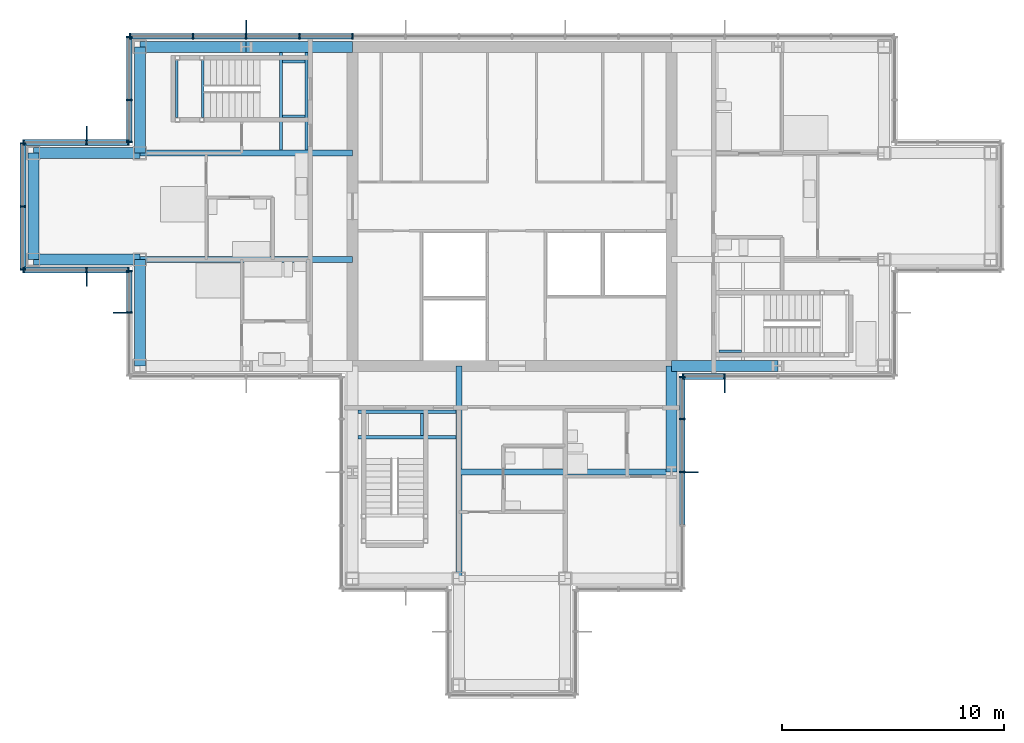
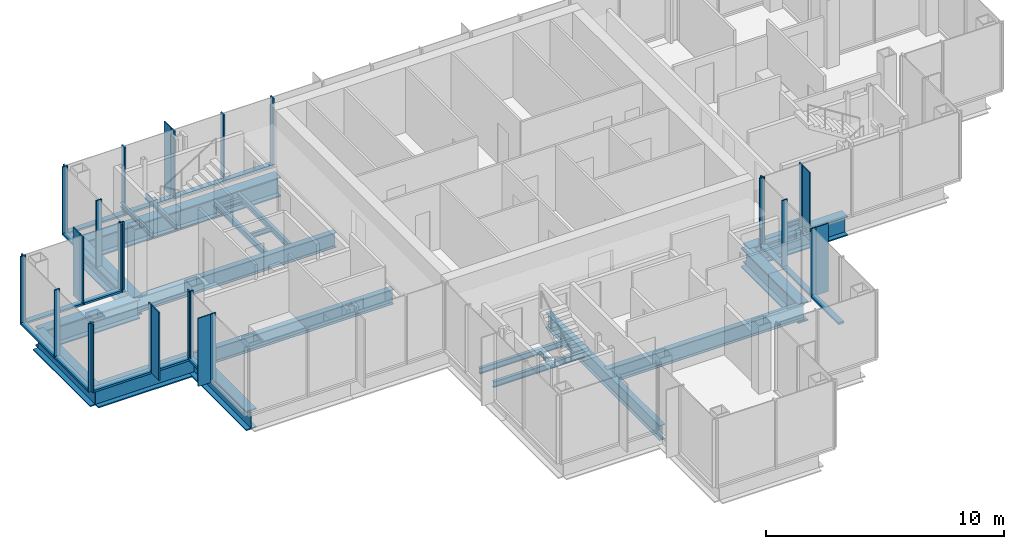
# One storey, part 6 of 15: 47 members, 23 beams, 8 elements without a shape of their own.
"""IFC4 building model written with IfcOpenShell, lengths in metres."""

import ifcopenshell
import ifcopenshell.guid

model = None  # the IFC model being written
_history = None  # IfcOwnerHistory: only IFC2X3 demands one
_inside = {}  # id of a spatial element -> (the spatial element, [elements in it])
_under = {}  # id of a project, library or spatial element -> (it, [spatial elements below it])
_declared = {}  # id of a project -> (the project, [libraries it declares])
_typed = {}  # id of a type object -> (the type object, [elements of that type])
_made_of = {}  # id of a material, layer set ... -> (it, [elements and type objects made of it])


def new_model(schema):
    """Start an empty IFC model of exactly this schema.

    Asked for "IFC4X3", IfcOpenShell would pick the latest addendum, in which some entities
    have other attributes; the version numbers below select the first issue.
    IFC2X3 requires an IfcOwnerHistory on every rooted entity: one is made here for all.
    """
    global model, _history
    if schema == "IFC4X3":
        model = ifcopenshell.file(schema_version=(4, 3, 0, 0))
    else:
        model = ifcopenshell.file(schema=schema)
    _inside.clear()
    _under.clear()
    _declared.clear()
    _typed.clear()
    _made_of.clear()
    _history = None
    if model.schema == "IFC2X3":
        org = make("IfcOrganization", Name="unknown")
        user = make(
            "IfcPersonAndOrganization",
            ThePerson=make("IfcPerson", FamilyName="unknown"),
            TheOrganization=org,
        )
        app = make(
            "IfcApplication",
            ApplicationDeveloper=org,
            Version="unknown",
            ApplicationFullName="unknown",
            ApplicationIdentifier="unknown",
        )
        _history = make(
            "IfcOwnerHistory",
            OwningUser=user,
            OwningApplication=app,
            ChangeAction="ADDED",
            CreationDate=0,
        )
    return model


def make(cls, **values):
    """One entity of the class cls with the attributes given. An attribute that is None is left unset."""
    return model.create_entity(
        cls, **{name: value for name, value in values.items() if value is not None}
    )


def rooted(cls, **values):
    """An entity with a GlobalId (a new one), such as an element, a storey or a relation."""
    return make(cls, GlobalId=ifcopenshell.guid.new(), OwnerHistory=_history, **values)


def si_unit(unit_type, name, prefix=None):
    """IfcSIUnit, for example si_unit("LENGTHUNIT", "METRE", prefix="MILLI")."""
    return make("IfcSIUnit", UnitType=unit_type, Prefix=prefix, Name=name)


def assignment(units):
    """IfcUnitAssignment: the units of a project."""
    return None if units is None else make("IfcUnitAssignment", Units=units)


def point(xyz):
    """IfcCartesianPoint."""
    return None if xyz is None else make("IfcCartesianPoint", Coordinates=xyz)


def direction(xyz):
    """IfcDirection."""
    return None if xyz is None else make("IfcDirection", DirectionRatios=xyz)


def frame(location, z_axis=None, x_axis=None):
    """IfcAxis2Placement3D, a coordinate frame: its origin and axes. An axis left out is left unset."""
    return make(
        "IfcAxis2Placement3D",
        Location=point(location),
        Axis=direction(z_axis),
        RefDirection=direction(x_axis),
    )


def frame_2d(location, x_axis=None):
    """IfcAxis2Placement2D, a coordinate frame in the plane: its origin and x axis."""
    return make(
        "IfcAxis2Placement2D", Location=point(location), RefDirection=direction(x_axis)
    )


def origin():
    """The frame at (0, 0, 0) with its axes left unset."""
    return frame((0.0, 0.0, 0.0))


def origin_2d():
    """The frame at (0, 0) in the plane with its x axis left unset."""
    return frame_2d((0.0, 0.0))


def place(relative_to, where):
    """IfcLocalPlacement: puts the frame where relative to a parent placement (None: the world)."""
    return make(
        "IfcLocalPlacement", PlacementRelTo=relative_to, RelativePlacement=where
    )


def context(
    kind, dimensions, precision=None, world=None, true_north=None, identifier=None
):
    """IfcGeometricRepresentationContext, for example the 3D "Model" context."""
    return make(
        "IfcGeometricRepresentationContext",
        ContextIdentifier=identifier,
        ContextType=kind,
        CoordinateSpaceDimension=dimensions,
        Precision=precision,
        WorldCoordinateSystem=world,
        TrueNorth=true_north,
    )


def subcontext(parent, identifier, kind, view, scale=None):
    """IfcGeometricRepresentationSubContext, for example "Body" below "Model"."""
    return make(
        "IfcGeometricRepresentationSubContext",
        ContextIdentifier=identifier,
        ContextType=kind,
        ParentContext=parent,
        TargetScale=scale,
        TargetView=view,
    )


def project(units=None, contexts=None):
    """IfcProject with its units and contexts."""
    return rooted(
        "IfcProject",
        Name="project",
        RepresentationContexts=contexts,
        UnitsInContext=assignment(units),
    )


def spatial(cls, under=None, at=None, **own):
    """A site, building, storey or space (cls), placed at a placement, below another one or the project."""
    s = rooted(cls, ObjectPlacement=at, **own)
    if under is not None:
        _under.setdefault(under.id(), (under, []))[1].append(s)
    return s


def profile(cls, at=None, kind="AREA", **sizes):
    """A parametric profile (cls). Its sizes go by their IFC names, for example OverallWidth=200.0."""
    return make(cls, ProfileType=kind, Position=at, **sizes)


def rectangle(**sizes):
    """IfcRectangleProfileDef."""
    return profile("IfcRectangleProfileDef", **sizes)


def i_section(**sizes):
    """IfcIShapeProfileDef."""
    return profile("IfcIShapeProfileDef", **sizes)


def extrude(swept, where, along, depth):
    """IfcExtrudedAreaSolid: the profile swept, set in the frame where, extruded along a direction by depth."""
    return make(
        "IfcExtrudedAreaSolid",
        SweptArea=swept,
        Position=where,
        ExtrudedDirection=direction(along),
        Depth=depth,
    )


def shape(context_of_items, identifier, shape_type, items):
    """IfcShapeRepresentation: the items that make up one representation, for example the "Body"."""
    return make(
        "IfcShapeRepresentation",
        ContextOfItems=context_of_items,
        RepresentationIdentifier=identifier,
        RepresentationType=shape_type,
        Items=items,
    )


def material(Name=None, Category=None):
    """IfcMaterial."""
    return make("IfcMaterial", Name=Name, Category=Category)


def material_profile(
    of_material, cross_section, Name=None, Category=None, Priority=None
):
    """IfcMaterialProfile: a cross section and its material."""
    return make(
        "IfcMaterialProfile",
        Name=Name,
        Material=of_material,
        Profile=cross_section,
        Priority=Priority,
        Category=Category,
    )


def profile_set(profiles, Name=None, composite=None):
    """IfcMaterialProfileSet."""
    return make(
        "IfcMaterialProfileSet",
        Name=Name,
        MaterialProfiles=profiles,
        CompositeProfile=composite,
    )


def made_of(thing, what):
    """Note that an element or type object is made of a material, layer set ...; save() writes the relation."""
    if what is not None:
        _made_of.setdefault(what.id(), (what, []))[1].append(thing)
    return thing


def type_object(cls, material=None, **own):
    """A type object (cls), such as IfcWallType, which elements share."""
    return made_of(rooted(cls, **own), material)


def element(
    cls,
    number,
    at=None,
    inside=None,
    cuts=None,
    type_object=None,
    material=None,
    context=None,
    identifier="Body",
    shape_type=None,
    held_by="IfcProductDefinitionShape",
    body=None,
    shapes=None,
    **own,
):
    """One element of the class cls, such as IfcWall. Its Tag is "e" and its number.

    at: its placement. inside: the storey or other place that contains it. cuts: it is an
    opening in that element (IfcRelVoidsElement). A single representation is given by context,
    identifier, shape_type and body (its items); several are given by shapes. held_by: the class
    of the entity that holds the representations. save() writes the other relations.
    """
    e = rooted(cls, Tag="e%d" % number, ObjectPlacement=at, **own)
    if body is not None:
        shapes = [shape(context, identifier, shape_type, body)]
    if shapes is not None:
        e.Representation = make(held_by, Representations=shapes)
    if inside is not None:
        _inside.setdefault(inside.id(), (inside, []))[1].append(e)
    if cuts is not None:
        rooted(
            "IfcRelVoidsElement", RelatingBuildingElement=cuts, RelatedOpeningElement=e
        )
    if type_object is not None:
        _typed.setdefault(type_object.id(), (type_object, []))[1].append(e)
    return made_of(e, material)


def aggregate(whole, parts):
    """IfcRelAggregates: a whole, such as a stair, and the parts it consists of."""
    return rooted("IfcRelAggregates", RelatingObject=whole, RelatedObjects=parts)


def save(model, path):
    """Write the relations noted so far, then the file.

    IfcRelAggregates (storeys below a building ...), IfcRelContainedInSpatialStructure (elements
    in a storey), IfcRelDefinesByType, IfcRelAssociatesMaterial and IfcRelDeclares: one each for
    every whole, place, type object, material and project.
    """
    for whole, parts in _under.values():
        aggregate(whole, parts)
    for where, things in _inside.values():
        rooted(
            "IfcRelContainedInSpatialStructure",
            RelatedElements=things,
            RelatingStructure=where,
        )
    for kind, things in _typed.values():
        rooted("IfcRelDefinesByType", RelatedObjects=things, RelatingType=kind)
    for what, things in _made_of.values():
        rooted("IfcRelAssociatesMaterial", RelatedObjects=things, RelatingMaterial=what)
    for by, libraries in _declared.values():
        rooted("IfcRelDeclares", RelatingContext=by, RelatedDefinitions=libraries)
    model.write(path)


model = new_model("IFC4")

# Units and contexts
model_context = context("Model", 3, precision=1e-05, world=origin(), true_north=direction((0.0, 1.0)))
body_context = subcontext(model_context, "Body", "Model", "MODEL_VIEW")
ifc_project = project(units=[si_unit("LENGTHUNIT", "METRE"), si_unit("AREAUNIT", "SQUARE_METRE"), si_unit("VOLUMEUNIT", "CUBIC_METRE"), si_unit("PLANEANGLEUNIT", "RADIAN"), si_unit("MASSUNIT", "GRAM", prefix="KILO")], contexts=[model_context])

# Site, building, storey
site_placement = place(None, origin())
site = spatial("IfcSite", under=ifc_project, at=site_placement, CompositionType="ELEMENT")
building_placement = place(site_placement, origin())
building = spatial("IfcBuilding", under=site, at=building_placement, Name="Kvirike Care Tower", CompositionType="ELEMENT")
storey_placement = place(building_placement, frame((0.0, 0.0, 205.0)))
storey = spatial("IfcBuildingStorey", under=building, at=storey_placement, Name="L56", CompositionType="ELEMENT", Elevation=205.0)

# Curtain wall, member
ifc_material_1 = material(Name="Anodised aluminium stick system", Category="aluminium")
curtain_wall_type = type_object("IfcCurtainWallType", Name="CW-D STICK CURTAIN WALL", PredefinedType="NOTDEFINED", material=ifc_material_1)
curtain_wall_1_placement = place(storey_placement, origin())
curtain_wall_1 = element("IfcCurtainWall", 1, at=curtain_wall_1_placement, inside=storey, type_object=curtain_wall_type, Name="Curtain wall L56 face 1", PredefinedType="NOTDEFINED")
ifc_material_2 = material(Name="Bronze anodised aluminium fin", Category="aluminium")
ifc_material_profile_1 = material_profile(ifc_material_2, rectangle(XDim=0.050048828125, YDim=0.60009765625, at=origin_2d()), Name="BRONZE FIN 600")
ifc_profile_set_1 = profile_set([ifc_material_profile_1], Name="Bronze anodised aluminium fin")
member_type_1 = type_object("IfcMemberType", Name="BRONZE FIN 600", PredefinedType="USERDEFINED", material=ifc_profile_set_1)
member_1_placement = place(storey_placement, frame((31.199951171875, 27.889892578125, 0.0), z_axis=(0.0, 0.0, 1.0), x_axis=(1.0, 0.0, 0.0)))
member_1 = element("IfcMember", 2, at=member_1_placement, type_object=member_type_1, Name="Bronze fin L56 face 1.2", ObjectType="FIN", PredefinedType="USERDEFINED", context=body_context, shape_type="SweptSolid", body=[
    extrude(rectangle(XDim=0.050048828125, YDim=0.60009765625, at=origin_2d()), origin(), (0.0, 0.0, 1.0), 3.5),
])

curtain_wall_2_placement = place(storey_placement, origin())
curtain_wall_2 = element("IfcCurtainWall", 3, at=curtain_wall_2_placement, inside=storey, type_object=curtain_wall_type, Name="Curtain wall L56 face 7", PredefinedType="NOTDEFINED")
member_2_placement = place(storey_placement, frame((9.60009765625, 44.110107421875, 0.0), z_axis=(0.0, 0.0, 1.0), x_axis=(-1.0, 0.0, 0.0)))
member_2 = element("IfcMember", 4, at=member_2_placement, type_object=member_type_1, Name="Bronze fin L56 face 7.13", ObjectType="FIN", PredefinedType="USERDEFINED", context=body_context, shape_type="SweptSolid", body=[
    extrude(rectangle(XDim=0.050048828125, YDim=0.60009765625, at=origin_2d()), origin(), (0.0, 0.0, 1.0), 3.5),
])

curtain_wall_3_placement = place(storey_placement, origin())
curtain_wall_3 = element("IfcCurtainWall", 5, at=curtain_wall_3_placement, inside=storey, type_object=curtain_wall_type, Name="Curtain wall L56 face 9", PredefinedType="NOTDEFINED")
member_3_placement = place(storey_placement, frame((2.39990234375, 39.31005859375, 0.0), z_axis=(0.0, 0.0, 1.0), x_axis=(-1.0, 0.0, 0.0)))
member_3 = element("IfcMember", 6, at=member_3_placement, type_object=member_type_1, Name="Bronze fin L56 face 9.2", ObjectType="FIN", PredefinedType="USERDEFINED", context=body_context, shape_type="SweptSolid", body=[
    extrude(rectangle(XDim=0.050048828125, YDim=0.60009765625, at=origin_2d()), origin(), (0.0, 0.0, 1.0), 3.5),
])

curtain_wall_4_placement = place(storey_placement, origin())
curtain_wall_4 = element("IfcCurtainWall", 7, at=curtain_wall_4_placement, inside=storey, type_object=curtain_wall_type, Name="Curtain wall L56 face 11", PredefinedType="NOTDEFINED")
member_4_placement = place(storey_placement, frame((2.39990234375, 32.68994140625, 0.0), z_axis=(0.0, 0.0, 1.0), x_axis=(1.0, 0.0, 0.0)))
member_4 = element("IfcMember", 8, at=member_4_placement, type_object=member_type_1, Name="Bronze fin L56 face 11.2", ObjectType="FIN", PredefinedType="USERDEFINED", context=body_context, shape_type="SweptSolid", body=[
    extrude(rectangle(XDim=0.050048828125, YDim=0.60009765625, at=origin_2d()), origin(), (0.0, 0.0, 1.0), 3.5),
])

curtain_wall_5_placement = place(storey_placement, origin())
curtain_wall_5 = element("IfcCurtainWall", 9, at=curtain_wall_5_placement, inside=storey, type_object=curtain_wall_type, Name="Curtain wall L56 face 12", PredefinedType="NOTDEFINED")
member_5_placement = place(storey_placement, frame((3.889892578125, 31.199951171875, 0.0), z_axis=(0.0, 0.0, 1.0), x_axis=(0.0, -1.0, 0.0)))
member_5 = element("IfcMember", 10, at=member_5_placement, type_object=member_type_1, Name="Bronze fin L56 face 12.2", ObjectType="FIN", PredefinedType="USERDEFINED", context=body_context, shape_type="SweptSolid", body=[
    extrude(rectangle(XDim=0.050048828125, YDim=0.60009765625, at=origin_2d()), origin(), (0.0, 0.0, 1.0), 3.5),
])

curtain_wall_6_placement = place(storey_placement, origin())
curtain_wall_6 = element("IfcCurtainWall", 11, at=curtain_wall_6_placement, inside=storey, type_object=curtain_wall_type, Name="Curtain wall L56 face 20", PredefinedType="NOTDEFINED")
member_6_placement = place(storey_placement, frame((29.7099609375, 24.0, 0.0), z_axis=(0.0, 0.0, 1.0), x_axis=(0.0, 1.0, 0.0)))
member_6 = element("IfcMember", 12, at=member_6_placement, type_object=member_type_1, Name="Bronze fin L56 face 20.3", ObjectType="FIN", PredefinedType="USERDEFINED", context=body_context, shape_type="SweptSolid", body=[
    extrude(rectangle(XDim=0.050048828125, YDim=0.60009765625, at=origin_2d()), origin(), (0.0, 0.0, 1.0), 3.5),
])

# Member
ifc_material_3 = material(Name="Bronze anodised aluminium mullion", Category="aluminium")
ifc_material_profile_2 = material_profile(ifc_material_3, rectangle(XDim=0.06494140625, YDim=0.260009765625, at=origin_2d()), Name="CW-D MULLION 65x260")
ifc_profile_set_2 = profile_set([ifc_material_profile_2], Name="Bronze anodised aluminium mullion")
member_type_2 = type_object("IfcMemberType", Name="CW-D MULLION 65x260", PredefinedType="MULLION", material=ifc_profile_set_2)
member_7_placement = place(storey_placement, frame((29.3125, 28.320068359375, 0.0), z_axis=(0.0, 0.0, 1.0), x_axis=(1.0, 0.0, 0.0)))
member_7 = element("IfcMember", 13, at=member_7_placement, type_object=member_type_2, Name="CW-D mullion L56 face 1.1", PredefinedType="MULLION", context=body_context, shape_type="SweptSolid", body=[
    extrude(rectangle(XDim=0.06494140625, YDim=0.260009765625, at=origin_2d()), origin(), (0.0, 0.0, 1.0), 3.5),
])

member_8_placement = place(storey_placement, frame((31.199951171875, 28.320068359375, 0.0), z_axis=(0.0, 0.0, 1.0), x_axis=(1.0, 0.0, 0.0)))
member_8 = element("IfcMember", 14, at=member_8_placement, type_object=member_type_2, Name="CW-D mullion L56 face 1.2", PredefinedType="MULLION", context=body_context, shape_type="SweptSolid", body=[
    extrude(rectangle(XDim=0.06494140625, YDim=0.260009765625, at=origin_2d()), origin(), (0.0, 0.0, 1.0), 3.5),
])

member_9_placement = place(storey_placement, frame((14.39990234375, 43.679931640625, 0.0), z_axis=(0.0, 0.0, 1.0), x_axis=(-1.0, 0.0, 0.0)))
member_9 = element("IfcMember", 15, at=member_9_placement, type_object=member_type_2, Name="CW-D mullion L56 face 7.11", PredefinedType="MULLION", context=body_context, shape_type="SweptSolid", body=[
    extrude(rectangle(XDim=0.06494140625, YDim=0.260009765625, at=origin_2d()), origin(), (0.0, 0.0, 1.0), 3.5),
])

member_10_placement = place(storey_placement, frame((12.0, 43.679931640625, 0.0), z_axis=(0.0, 0.0, 1.0), x_axis=(-1.0, 0.0, 0.0)))
member_10 = element("IfcMember", 16, at=member_10_placement, type_object=member_type_2, Name="CW-D mullion L56 face 7.12", PredefinedType="MULLION", context=body_context, shape_type="SweptSolid", body=[
    extrude(rectangle(XDim=0.06494140625, YDim=0.260009765625, at=origin_2d()), origin(), (0.0, 0.0, 1.0), 3.5),
])

member_11_placement = place(storey_placement, frame((9.60009765625, 43.679931640625, 0.0), z_axis=(0.0, 0.0, 1.0), x_axis=(-1.0, 0.0, 0.0)))
member_11 = element("IfcMember", 17, at=member_11_placement, type_object=member_type_2, Name="CW-D mullion L56 face 7.13", PredefinedType="MULLION", context=body_context, shape_type="SweptSolid", body=[
    extrude(rectangle(XDim=0.06494140625, YDim=0.260009765625, at=origin_2d()), origin(), (0.0, 0.0, 1.0), 3.5),
])

member_12_placement = place(storey_placement, frame((7.199951171875, 43.679931640625, 0.0), z_axis=(0.0, 0.0, 1.0), x_axis=(-1.0, 0.0, 0.0)))
member_12 = element("IfcMember", 18, at=member_12_placement, type_object=member_type_2, Name="CW-D mullion L56 face 7.14", PredefinedType="MULLION", context=body_context, shape_type="SweptSolid", body=[
    extrude(rectangle(XDim=0.06494140625, YDim=0.260009765625, at=origin_2d()), origin(), (0.0, 0.0, 1.0), 3.5),
])

member_13_placement = place(storey_placement, frame((4.3525390625, 43.679931640625, 0.0), z_axis=(0.0, 0.0, 1.0), x_axis=(-1.0, 0.0, 0.0)))
member_13 = element("IfcMember", 19, at=member_13_placement, type_object=member_type_2, Name="CW-D mullion L56 face 7.15", PredefinedType="MULLION", context=body_context, shape_type="SweptSolid", body=[
    extrude(rectangle(XDim=0.06494140625, YDim=0.260009765625, at=origin_2d()), origin(), (0.0, 0.0, 1.0), 3.5),
])

# Curtain wall, members
curtain_wall_7_placement = place(storey_placement, origin())
curtain_wall_7 = element("IfcCurtainWall", 20, at=curtain_wall_7_placement, inside=storey, type_object=curtain_wall_type, Name="Curtain wall L56 face 8", PredefinedType="NOTDEFINED")
member_14_placement = place(storey_placement, frame((4.320068359375, 43.6474609375, 0.0), z_axis=(0.0, 0.0, 1.0), x_axis=(0.0, -1.0, 0.0)))
member_14 = element("IfcMember", 21, at=member_14_placement, type_object=member_type_2, Name="CW-D mullion L56 face 8.1", PredefinedType="MULLION", context=body_context, shape_type="SweptSolid", body=[
    extrude(rectangle(XDim=0.06494140625, YDim=0.260009765625, at=origin_2d()), origin(), (0.0, 0.0, 1.0), 3.5),
])
member_15_placement = place(storey_placement, frame((4.320068359375, 40.800048828125, 0.0), z_axis=(0.0, 0.0, 1.0), x_axis=(0.0, -1.0, 0.0)))
member_15 = element("IfcMember", 22, at=member_15_placement, type_object=member_type_2, Name="CW-D mullion L56 face 8.2", PredefinedType="MULLION", context=body_context, shape_type="SweptSolid", body=[
    extrude(rectangle(XDim=0.06494140625, YDim=0.260009765625, at=origin_2d()), origin(), (0.0, 0.0, 1.0), 3.5),
])
member_16_placement = place(storey_placement, frame((4.320068359375, 38.91259765625, 0.0), z_axis=(0.0, 0.0, 1.0), x_axis=(0.0, -1.0, 0.0)))
member_16 = element("IfcMember", 23, at=member_16_placement, type_object=member_type_2, Name="CW-D mullion L56 face 8.3", PredefinedType="MULLION", context=body_context, shape_type="SweptSolid", body=[
    extrude(rectangle(XDim=0.06494140625, YDim=0.260009765625, at=origin_2d()), origin(), (0.0, 0.0, 1.0), 3.5),
])

# Member
member_17_placement = place(storey_placement, frame((4.28759765625, 38.8798828125, 0.0), z_axis=(0.0, 0.0, 1.0), x_axis=(-1.0, 0.0, 0.0)))
member_17 = element("IfcMember", 24, at=member_17_placement, type_object=member_type_2, Name="CW-D mullion L56 face 9.1", PredefinedType="MULLION", context=body_context, shape_type="SweptSolid", body=[
    extrude(rectangle(XDim=0.06494140625, YDim=0.260009765625, at=origin_2d()), origin(), (0.0, 0.0, 1.0), 3.5),
])

member_18_placement = place(storey_placement, frame((2.39990234375, 38.8798828125, 0.0), z_axis=(0.0, 0.0, 1.0), x_axis=(-1.0, 0.0, 0.0)))
member_18 = element("IfcMember", 25, at=member_18_placement, type_object=member_type_2, Name="CW-D mullion L56 face 9.2", PredefinedType="MULLION", context=body_context, shape_type="SweptSolid", body=[
    extrude(rectangle(XDim=0.06494140625, YDim=0.260009765625, at=origin_2d()), origin(), (0.0, 0.0, 1.0), 3.5),
])

member_19_placement = place(storey_placement, frame((-0.447509765625, 38.8798828125, 0.0), z_axis=(0.0, 0.0, 1.0), x_axis=(-1.0, 0.0, 0.0)))
member_19 = element("IfcMember", 26, at=member_19_placement, type_object=member_type_2, Name="CW-D mullion L56 face 9.3", PredefinedType="MULLION", context=body_context, shape_type="SweptSolid", body=[
    extrude(rectangle(XDim=0.06494140625, YDim=0.260009765625, at=origin_2d()), origin(), (0.0, 0.0, 1.0), 3.5),
])

# Curtain wall, members
curtain_wall_8_placement = place(storey_placement, origin())
curtain_wall_8 = element("IfcCurtainWall", 27, at=curtain_wall_8_placement, inside=storey, type_object=curtain_wall_type, Name="Curtain wall L56 face 10", PredefinedType="NOTDEFINED")
member_20_placement = place(storey_placement, frame((-0.47998046875, 38.847412109375, 0.0), z_axis=(0.0, 0.0, 1.0), x_axis=(0.0, -1.0, 0.0)))
member_20 = element("IfcMember", 28, at=member_20_placement, type_object=member_type_2, Name="CW-D mullion L56 face 10.1", PredefinedType="MULLION", context=body_context, shape_type="SweptSolid", body=[
    extrude(rectangle(XDim=0.06494140625, YDim=0.260009765625, at=origin_2d()), origin(), (0.0, 0.0, 1.0), 3.5),
])
member_21_placement = place(storey_placement, frame((-0.47998046875, 36.0, 0.0), z_axis=(0.0, 0.0, 1.0), x_axis=(0.0, -1.0, 0.0)))
member_21 = element("IfcMember", 29, at=member_21_placement, type_object=member_type_2, Name="CW-D mullion L56 face 10.2", PredefinedType="MULLION", context=body_context, shape_type="SweptSolid", body=[
    extrude(rectangle(XDim=0.06494140625, YDim=0.260009765625, at=origin_2d()), origin(), (0.0, 0.0, 1.0), 3.5),
])
member_22_placement = place(storey_placement, frame((-0.47998046875, 33.152587890625, 0.0), z_axis=(0.0, 0.0, 1.0), x_axis=(0.0, -1.0, 0.0)))
member_22 = element("IfcMember", 30, at=member_22_placement, type_object=member_type_2, Name="CW-D mullion L56 face 10.3", PredefinedType="MULLION", context=body_context, shape_type="SweptSolid", body=[
    extrude(rectangle(XDim=0.06494140625, YDim=0.260009765625, at=origin_2d()), origin(), (0.0, 0.0, 1.0), 3.5),
])

# Member
member_23_placement = place(storey_placement, frame((-0.447509765625, 33.1201171875, 0.0), z_axis=(0.0, 0.0, 1.0), x_axis=(1.0, 0.0, 0.0)))
member_23 = element("IfcMember", 31, at=member_23_placement, type_object=member_type_2, Name="CW-D mullion L56 face 11.1", PredefinedType="MULLION", context=body_context, shape_type="SweptSolid", body=[
    extrude(rectangle(XDim=0.06494140625, YDim=0.260009765625, at=origin_2d()), origin(), (0.0, 0.0, 1.0), 3.5),
])

member_24_placement = place(storey_placement, frame((2.39990234375, 33.1201171875, 0.0), z_axis=(0.0, 0.0, 1.0), x_axis=(1.0, 0.0, 0.0)))
member_24 = element("IfcMember", 32, at=member_24_placement, type_object=member_type_2, Name="CW-D mullion L56 face 11.2", PredefinedType="MULLION", context=body_context, shape_type="SweptSolid", body=[
    extrude(rectangle(XDim=0.06494140625, YDim=0.260009765625, at=origin_2d()), origin(), (0.0, 0.0, 1.0), 3.5),
])

member_25_placement = place(storey_placement, frame((4.28759765625, 33.1201171875, 0.0), z_axis=(0.0, 0.0, 1.0), x_axis=(1.0, 0.0, 0.0)))
member_25 = element("IfcMember", 33, at=member_25_placement, type_object=member_type_2, Name="CW-D mullion L56 face 11.3", PredefinedType="MULLION", context=body_context, shape_type="SweptSolid", body=[
    extrude(rectangle(XDim=0.06494140625, YDim=0.260009765625, at=origin_2d()), origin(), (0.0, 0.0, 1.0), 3.5),
])

member_26_placement = place(storey_placement, frame((4.320068359375, 33.08740234375, 0.0), z_axis=(0.0, 0.0, 1.0), x_axis=(0.0, -1.0, 0.0)))
member_26 = element("IfcMember", 34, at=member_26_placement, type_object=member_type_2, Name="CW-D mullion L56 face 12.1", PredefinedType="MULLION", context=body_context, shape_type="SweptSolid", body=[
    extrude(rectangle(XDim=0.06494140625, YDim=0.260009765625, at=origin_2d()), origin(), (0.0, 0.0, 1.0), 3.5),
])

member_27_placement = place(storey_placement, frame((4.320068359375, 31.199951171875, 0.0), z_axis=(0.0, 0.0, 1.0), x_axis=(0.0, -1.0, 0.0)))
member_27 = element("IfcMember", 35, at=member_27_placement, type_object=member_type_2, Name="CW-D mullion L56 face 12.2", PredefinedType="MULLION", context=body_context, shape_type="SweptSolid", body=[
    extrude(rectangle(XDim=0.06494140625, YDim=0.260009765625, at=origin_2d()), origin(), (0.0, 0.0, 1.0), 3.5),
])

member_28_placement = place(storey_placement, frame((29.280029296875, 24.0, 0.0), z_axis=(0.0, 0.0, 1.0), x_axis=(0.0, 1.0, 0.0)))
member_28 = element("IfcMember", 36, at=member_28_placement, type_object=member_type_2, Name="CW-D mullion L56 face 20.3", PredefinedType="MULLION", context=body_context, shape_type="SweptSolid", body=[
    extrude(rectangle(XDim=0.06494140625, YDim=0.260009765625, at=origin_2d()), origin(), (0.0, 0.0, 1.0), 3.5),
])

member_29_placement = place(storey_placement, frame((29.280029296875, 26.39990234375, 0.0), z_axis=(0.0, 0.0, 1.0), x_axis=(0.0, 1.0, 0.0)))
member_29 = element("IfcMember", 37, at=member_29_placement, type_object=member_type_2, Name="CW-D mullion L56 face 20.4", PredefinedType="MULLION", context=body_context, shape_type="SweptSolid", body=[
    extrude(rectangle(XDim=0.06494140625, YDim=0.260009765625, at=origin_2d()), origin(), (0.0, 0.0, 1.0), 3.5),
])

member_30_placement = place(storey_placement, frame((29.280029296875, 28.28759765625, 0.0), z_axis=(0.0, 0.0, 1.0), x_axis=(0.0, 1.0, 0.0)))
member_30 = element("IfcMember", 38, at=member_30_placement, type_object=member_type_2, Name="CW-D mullion L56 face 20.5", PredefinedType="MULLION", context=body_context, shape_type="SweptSolid", body=[
    extrude(rectangle(XDim=0.06494140625, YDim=0.260009765625, at=origin_2d()), origin(), (0.0, 0.0, 1.0), 3.5),
])

ifc_material_4 = material(Name="Bronze anodised aluminium transom", Category="aluminium")
ifc_material_profile_3 = material_profile(ifc_material_4, rectangle(XDim=0.260009765625, YDim=0.10009765625, at=origin_2d()), Name="CW-D TRANSOM 260x100")
ifc_profile_set_3 = profile_set([ifc_material_profile_3], Name="Bronze anodised aluminium transom")
member_type_3 = type_object("IfcMemberType", Name="CW-D TRANSOM 260x100", PredefinedType="USERDEFINED", material=ifc_profile_set_3)
member_31_placement = place(storey_placement, frame((29.344970703125, 28.320068359375, 0.050048828125), z_axis=(1.0, 0.0, 0.0), x_axis=(0.0, 1.0, 0.0)))
member_31 = element("IfcMember", 39, at=member_31_placement, type_object=member_type_3, Name="CW-D sill transom L56 face 1.1", ObjectType="TRANSOM", PredefinedType="USERDEFINED", context=body_context, shape_type="SweptSolid", body=[
    extrude(rectangle(XDim=0.260009765625, YDim=0.10009765625, at=origin_2d()), origin(), (0.0, 0.0, 1.0), 1.822509765625),
])

aggregate(curtain_wall_1, [member_7, member_8, member_1, member_31])

member_32_placement = place(storey_placement, frame((14.367431640625, 43.679931640625, 0.050048828125), z_axis=(-1.0, 0.0, 0.0), x_axis=(0.0, -1.0, 0.0)))
member_32 = element("IfcMember", 40, at=member_32_placement, type_object=member_type_3, Name="CW-D sill transom L56 face 7.11", ObjectType="TRANSOM", PredefinedType="USERDEFINED", context=body_context, shape_type="SweptSolid", body=[
    extrude(rectangle(XDim=0.260009765625, YDim=0.10009765625, at=origin_2d()), origin(), (0.0, 0.0, 1.0), 2.3349609375),
])

member_33_placement = place(storey_placement, frame((11.967529296875, 43.679931640625, 0.050048828125), z_axis=(-1.0, 0.0, 0.0), x_axis=(0.0, -1.0, 0.0)))
member_33 = element("IfcMember", 41, at=member_33_placement, type_object=member_type_3, Name="CW-D sill transom L56 face 7.12", ObjectType="TRANSOM", PredefinedType="USERDEFINED", context=body_context, shape_type="SweptSolid", body=[
    extrude(rectangle(XDim=0.260009765625, YDim=0.10009765625, at=origin_2d()), origin(), (0.0, 0.0, 1.0), 2.3349609375),
])

member_34_placement = place(storey_placement, frame((9.5673828125, 43.679931640625, 0.050048828125), z_axis=(-1.0, 0.0, 0.0), x_axis=(0.0, -1.0, 0.0)))
member_34 = element("IfcMember", 42, at=member_34_placement, type_object=member_type_3, Name="CW-D sill transom L56 face 7.13", ObjectType="TRANSOM", PredefinedType="USERDEFINED", context=body_context, shape_type="SweptSolid", body=[
    extrude(rectangle(XDim=0.260009765625, YDim=0.10009765625, at=origin_2d()), origin(), (0.0, 0.0, 1.0), 2.3349609375),
])

member_35_placement = place(storey_placement, frame((7.16748046875, 43.679931640625, 0.050048828125), z_axis=(-1.0, 0.0, 0.0), x_axis=(0.0, -1.0, 0.0)))
member_35 = element("IfcMember", 43, at=member_35_placement, type_object=member_type_3, Name="CW-D sill transom L56 face 7.14", ObjectType="TRANSOM", PredefinedType="USERDEFINED", context=body_context, shape_type="SweptSolid", body=[
    extrude(rectangle(XDim=0.260009765625, YDim=0.10009765625, at=origin_2d()), origin(), (0.0, 0.0, 1.0), 2.782470703125),
])

aggregate(curtain_wall_2, [member_9, member_10, member_11, member_2, member_12, member_13, member_32, member_33, member_34, member_35])

member_36_placement = place(storey_placement, frame((4.320068359375, 43.614990234375, 0.050048828125), z_axis=(0.0, -1.0, 0.0), x_axis=(1.0, 0.0, 0.0)))
member_36 = element("IfcMember", 44, at=member_36_placement, type_object=member_type_3, Name="CW-D sill transom L56 face 8.1", ObjectType="TRANSOM", PredefinedType="USERDEFINED", context=body_context, shape_type="SweptSolid", body=[
    extrude(rectangle(XDim=0.260009765625, YDim=0.10009765625, at=origin_2d()), origin(), (0.0, 0.0, 1.0), 2.782470703125),
])

member_37_placement = place(storey_placement, frame((4.320068359375, 40.767578125, 0.050048828125), z_axis=(0.0, -1.0, 0.0), x_axis=(1.0, 0.0, 0.0)))
member_37 = element("IfcMember", 45, at=member_37_placement, type_object=member_type_3, Name="CW-D sill transom L56 face 8.2", ObjectType="TRANSOM", PredefinedType="USERDEFINED", context=body_context, shape_type="SweptSolid", body=[
    extrude(rectangle(XDim=0.260009765625, YDim=0.10009765625, at=origin_2d()), origin(), (0.0, 0.0, 1.0), 1.822509765625),
])

aggregate(curtain_wall_7, [member_14, member_15, member_16, member_36, member_37])

member_38_placement = place(storey_placement, frame((4.2548828125, 38.8798828125, 0.050048828125), z_axis=(-1.0, 0.0, 0.0), x_axis=(0.0, -1.0, 0.0)))
member_38 = element("IfcMember", 46, at=member_38_placement, type_object=member_type_3, Name="CW-D sill transom L56 face 9.1", ObjectType="TRANSOM", PredefinedType="USERDEFINED", context=body_context, shape_type="SweptSolid", body=[
    extrude(rectangle(XDim=0.260009765625, YDim=0.10009765625, at=origin_2d()), origin(), (0.0, 0.0, 1.0), 1.822265625),
])

member_39_placement = place(storey_placement, frame((2.367431640625, 38.8798828125, 0.050048828125), z_axis=(-1.0, 0.0, 0.0), x_axis=(0.0, -1.0, 0.0)))
member_39 = element("IfcMember", 47, at=member_39_placement, type_object=member_type_3, Name="CW-D sill transom L56 face 9.2", ObjectType="TRANSOM", PredefinedType="USERDEFINED", context=body_context, shape_type="SweptSolid", body=[
    extrude(rectangle(XDim=0.260009765625, YDim=0.10009765625, at=origin_2d()), origin(), (0.0, 0.0, 1.0), 2.782470703125),
])

aggregate(curtain_wall_3, [member_17, member_18, member_3, member_19, member_38, member_39])

member_40_placement = place(storey_placement, frame((-0.47998046875, 38.81494140625, 0.050048828125), z_axis=(0.0, -1.0, 0.0), x_axis=(1.0, 0.0, 0.0)))
member_40 = element("IfcMember", 48, at=member_40_placement, type_object=member_type_3, Name="CW-D sill transom L56 face 10.1", ObjectType="TRANSOM", PredefinedType="USERDEFINED", context=body_context, shape_type="SweptSolid", body=[
    extrude(rectangle(XDim=0.260009765625, YDim=0.10009765625, at=origin_2d()), origin(), (0.0, 0.0, 1.0), 2.782470703125),
])

member_41_placement = place(storey_placement, frame((-0.47998046875, 35.967529296875, 0.050048828125), z_axis=(0.0, -1.0, 0.0), x_axis=(1.0, 0.0, 0.0)))
member_41 = element("IfcMember", 49, at=member_41_placement, type_object=member_type_3, Name="CW-D sill transom L56 face 10.2", ObjectType="TRANSOM", PredefinedType="USERDEFINED", context=body_context, shape_type="SweptSolid", body=[
    extrude(rectangle(XDim=0.260009765625, YDim=0.10009765625, at=origin_2d()), origin(), (0.0, 0.0, 1.0), 2.782470703125),
])

aggregate(curtain_wall_8, [member_20, member_21, member_22, member_40, member_41])

member_42_placement = place(storey_placement, frame((-0.4150390625, 33.1201171875, 0.050048828125), z_axis=(1.0, 0.0, 0.0), x_axis=(0.0, 1.0, 0.0)))
member_42 = element("IfcMember", 50, at=member_42_placement, type_object=member_type_3, Name="CW-D sill transom L56 face 11.1", ObjectType="TRANSOM", PredefinedType="USERDEFINED", context=body_context, shape_type="SweptSolid", body=[
    extrude(rectangle(XDim=0.260009765625, YDim=0.10009765625, at=origin_2d()), origin(), (0.0, 0.0, 1.0), 2.782470703125),
])

member_43_placement = place(storey_placement, frame((2.4326171875, 33.1201171875, 0.050048828125), z_axis=(1.0, 0.0, 0.0), x_axis=(0.0, 1.0, 0.0)))
member_43 = element("IfcMember", 51, at=member_43_placement, type_object=member_type_3, Name="CW-D sill transom L56 face 11.2", ObjectType="TRANSOM", PredefinedType="USERDEFINED", context=body_context, shape_type="SweptSolid", body=[
    extrude(rectangle(XDim=0.260009765625, YDim=0.10009765625, at=origin_2d()), origin(), (0.0, 0.0, 1.0), 1.822265625),
])

aggregate(curtain_wall_4, [member_23, member_24, member_4, member_25, member_42, member_43])

member_44_placement = place(storey_placement, frame((4.320068359375, 33.054931640625, 0.050048828125), z_axis=(0.0, -1.0, 0.0), x_axis=(1.0, 0.0, 0.0)))
member_44 = element("IfcMember", 52, at=member_44_placement, type_object=member_type_3, Name="CW-D sill transom L56 face 12.1", ObjectType="TRANSOM", PredefinedType="USERDEFINED", context=body_context, shape_type="SweptSolid", body=[
    extrude(rectangle(XDim=0.260009765625, YDim=0.10009765625, at=origin_2d()), origin(), (0.0, 0.0, 1.0), 1.822509765625),
])

aggregate(curtain_wall_5, [member_26, member_27, member_5, member_44])

member_45_placement = place(storey_placement, frame((29.280029296875, 21.632568359375, 0.050048828125), z_axis=(0.0, 1.0, 0.0), x_axis=(-1.0, 0.0, 0.0)))
member_45 = element("IfcMember", 53, at=member_45_placement, type_object=member_type_3, Name="CW-D sill transom L56 face 20.2", ObjectType="TRANSOM", PredefinedType="USERDEFINED", context=body_context, shape_type="SweptSolid", body=[
    extrude(rectangle(XDim=0.260009765625, YDim=0.10009765625, at=origin_2d()), origin(), (0.0, 0.0, 1.0), 2.3349609375),
])

member_46_placement = place(storey_placement, frame((29.280029296875, 24.032470703125, 0.050048828125), z_axis=(0.0, 1.0, 0.0), x_axis=(-1.0, 0.0, 0.0)))
member_46 = element("IfcMember", 54, at=member_46_placement, type_object=member_type_3, Name="CW-D sill transom L56 face 20.3", ObjectType="TRANSOM", PredefinedType="USERDEFINED", context=body_context, shape_type="SweptSolid", body=[
    extrude(rectangle(XDim=0.260009765625, YDim=0.10009765625, at=origin_2d()), origin(), (0.0, 0.0, 1.0), 2.3349609375),
])

member_47_placement = place(storey_placement, frame((29.280029296875, 26.4326171875, 0.050048828125), z_axis=(0.0, 1.0, 0.0), x_axis=(-1.0, 0.0, 0.0)))
member_47 = element("IfcMember", 55, at=member_47_placement, type_object=member_type_3, Name="CW-D sill transom L56 face 20.4", ObjectType="TRANSOM", PredefinedType="USERDEFINED", context=body_context, shape_type="SweptSolid", body=[
    extrude(rectangle(XDim=0.260009765625, YDim=0.10009765625, at=origin_2d()), origin(), (0.0, 0.0, 1.0), 1.822265625),
])

aggregate(curtain_wall_6, [member_28, member_6, member_29, member_30, member_45, member_46, member_47])

# Beams
ifc_material_5 = material(Name="Steel S355", Category="steel")
ifc_material_profile_4 = material_profile(ifc_material_5, i_section(OverallWidth=0.26806640625, OverallDepth=0.77001953125, WebThickness=0.015625, FlangeThickness=0.025390625, FilletRadius=0.01708984375, at=origin_2d()), Name="IPE 750x196")
ifc_profile_set_4 = profile_set([ifc_material_profile_4], Name="Steel S355")
beam_type_1 = type_object("IfcBeamType", Name="FLOOR BEAM IPE 750x196", PredefinedType="BEAM", material=ifc_profile_set_4)
beam_1_placement = place(storey_placement, frame((19.199951171875, 24.0, -0.554931640625), z_axis=(1.0, 0.0, 0.0), x_axis=(0.0, 1.0, 0.0)))
element("IfcBeam", 56, at=beam_1_placement, inside=storey, type_object=beam_type_1, Name="Floor Beam F7-F9 L56", PredefinedType="BEAM", context=body_context, shape_type="SweptSolid", body=[
    extrude(i_section(OverallWidth=0.26806640625, OverallDepth=0.77001953125, WebThickness=0.015625, FlangeThickness=0.025390625, FilletRadius=0.01708984375, at=origin_2d()), origin(), (0.0, 0.0, 1.0), 9.60009765625),
])
for number, where, z_axis, x_axis, name in (
    (57, (4.800048828125, 33.60009765625, -0.554931640625), (1.0, 0.0, 0.0), (0.0, 1.0, 0.0), "Floor Beam H4-H6 L56"),
    (58, (4.800048828125, 38.39990234375, -0.554931640625), (1.0, 0.0, 0.0), (0.0, 1.0, 0.0), "Floor Beam J4-J6 L56"),
):
    element("IfcBeam", number, at=place(storey_placement, frame(where, z_axis=z_axis, x_axis=x_axis)), inside=storey, type_object=beam_type_1, Name=name, PredefinedType="BEAM", context=body_context, shape_type="SweptSolid", body=[
        extrude(i_section(OverallWidth=0.26806640625, OverallDepth=0.77001953125, WebThickness=0.015625, FlangeThickness=0.025390625, FilletRadius=0.01708984375, at=origin_2d()), origin(), (0.0, 0.0, 1.0), 9.599853515625),
    ])
beam_2_placement = place(storey_placement, frame((19.199951171875, 19.199951171875, -0.554931640625), z_axis=(0.0, 1.0, 0.0), x_axis=(-1.0, 0.0, 0.0)))
element("IfcBeam", 59, at=beam_2_placement, inside=storey, type_object=beam_type_1, Name="Floor Beam E7-G7 L56", PredefinedType="BEAM", context=body_context, shape_type="SweptSolid", body=[
    extrude(i_section(OverallWidth=0.26806640625, OverallDepth=0.77001953125, WebThickness=0.015625, FlangeThickness=0.025390625, FilletRadius=0.01708984375, at=origin_2d()), origin(), (0.0, 0.0, 1.0), 9.60009765625),
])
ifc_material_6 = material(Name="Steel S355", Category="steel")
ifc_material_profile_5 = material_profile(ifc_material_6, i_section(OverallWidth=0.5, OverallDepth=1.0, WebThickness=0.030029296875, FlangeThickness=0.06005859375, at=origin_2d()), Name="PG 1000x500x30x60")
ifc_profile_set_5 = profile_set([ifc_material_profile_5], Name="Steel S355")
beam_type_2 = type_object("IfcBeamType", Name="SPANDREL PG 1000x500x30x60", PredefinedType="SPANDREL", material=ifc_profile_set_5)
for number, where, z_axis, x_axis, name in (
    (60, (28.800048828125, 28.800048828125, -0.669921875), (1.0, 0.0, 0.0), (0.0, 1.0, 0.0), "Spandrel G9-G10 L56"),
    (61, (0.0, 33.60009765625, -0.669921875), (1.0, 0.0, 0.0), (0.0, 1.0, 0.0), "Spandrel H3-H4 L56"),
    (62, (0.0, 38.39990234375, -0.669921875), (1.0, 0.0, 0.0), (0.0, 1.0, 0.0), "Spandrel J3-J4 L56"),
    (63, (4.800048828125, 43.199951171875, -0.669921875), (1.0, 0.0, 0.0), (0.0, 1.0, 0.0), "Spandrel K4-K5 L56"),
):
    element("IfcBeam", number, at=place(storey_placement, frame(where, z_axis=z_axis, x_axis=x_axis)), inside=storey, type_object=beam_type_2, Name=name, PredefinedType="SPANDREL", context=body_context, shape_type="SweptSolid", body=[
        extrude(i_section(OverallWidth=0.5, OverallDepth=1.0, WebThickness=0.030029296875, FlangeThickness=0.06005859375, at=origin_2d()), origin(), (0.0, 0.0, 1.0), 4.800048828125),
    ])
for number, where, z_axis, x_axis, name in (
    (64, (9.60009765625, 43.199951171875, -0.669921875), (1.0, 0.0, 0.0), (0.0, 1.0, 0.0), "Spandrel K5-K6 L56"),
    (65, (0.0, 33.60009765625, -0.669921875), (0.0, 1.0, 0.0), (-1.0, 0.0, 0.0), "Spandrel H3-J3 L56"),
):
    element("IfcBeam", number, at=place(storey_placement, frame(where, z_axis=z_axis, x_axis=x_axis)), inside=storey, type_object=beam_type_2, Name=name, PredefinedType="SPANDREL", context=body_context, shape_type="SweptSolid", body=[
        extrude(i_section(OverallWidth=0.5, OverallDepth=1.0, WebThickness=0.030029296875, FlangeThickness=0.06005859375, at=origin_2d()), origin(), (0.0, 0.0, 1.0), 4.7998046875),
    ])
for number, where, z_axis, x_axis, name in (
    (66, (4.800048828125, 28.800048828125, -0.669921875), (0.0, 1.0, 0.0), (-1.0, 0.0, 0.0), "Spandrel G4-H4 L56"),
    (67, (4.800048828125, 38.39990234375, -0.669921875), (0.0, 1.0, 0.0), (-1.0, 0.0, 0.0), "Spandrel J4-K4 L56"),
    (68, (28.800048828125, 24.0, -0.669921875), (0.0, 1.0, 0.0), (-1.0, 0.0, 0.0), "Spandrel F9-G9 L56"),
):
    element("IfcBeam", number, at=place(storey_placement, frame(where, z_axis=z_axis, x_axis=x_axis)), inside=storey, type_object=beam_type_2, Name=name, PredefinedType="SPANDREL", context=body_context, shape_type="SweptSolid", body=[
        extrude(i_section(OverallWidth=0.5, OverallDepth=1.0, WebThickness=0.030029296875, FlangeThickness=0.06005859375, at=origin_2d()), origin(), (0.0, 0.0, 1.0), 4.800048828125),
    ])
ifc_material_7 = material(Name="Steel S355", Category="steel")
ifc_material_profile_6 = material_profile(ifc_material_7, i_section(OverallWidth=0.1201171875, OverallDepth=0.239990234375, WebThickness=0.006103515625, FlangeThickness=0.009765625, FilletRadius=0.014892578125, at=origin_2d()), Name="IPE 240")
ifc_profile_set_6 = profile_set([ifc_material_profile_6], Name="Steel S355")
beam_type_3 = type_object("IfcBeamType", Name="STAIR LANDING BEAM IPE 240", PredefinedType="BEAM", material=ifc_profile_set_6)
for number, where, z_axis, x_axis, name in (
    (69, (6.4599609375, 42.60009765625, 1.429931640625), (0.0, -1.0, 0.0), (1.0, 0.0, 0.0), "Stair 1 landing beam back L56"),
    (70, (7.639892578125, 42.60009765625, 1.429931640625), (0.0, -1.0, 0.0), (1.0, 0.0, 0.0), "Stair 1 landing beam front L56"),
):
    element("IfcBeam", number, at=place(storey_placement, frame(where, z_axis=z_axis, x_axis=x_axis)), inside=storey, type_object=beam_type_3, Name=name, PredefinedType="BEAM", context=body_context, shape_type="SweptSolid", body=[
        extrude(i_section(OverallWidth=0.1201171875, OverallDepth=0.239990234375, WebThickness=0.006103515625, FlangeThickness=0.009765625, FilletRadius=0.014892578125, at=origin_2d()), origin(), (0.0, 0.0, 1.0), 2.60009765625),
    ])
for number, where, z_axis, x_axis, name in (
    (71, (11.25, 42.5400390625, -0.320068359375), (1.0, 0.0, 0.0), (0.0, 1.0, 0.0), "Stair 1 landing edge beam 1 L56"),
    (72, (11.25, 40.06005859375, -0.320068359375), (1.0, 0.0, 0.0), (0.0, 1.0, 0.0), "Stair 1 landing edge beam 2 L56"),
    (73, (31.949951171875, 29.4599609375, -0.320068359375), (-1.0, 0.0, 0.0), (0.0, -1.0, 0.0), "Stair 2 landing edge beam 1 L56"),
    (74, (17.5400390625, 25.64990234375, -0.320068359375), (0.0, 1.0, 0.0), (-1.0, 0.0, 0.0), "Stair 5 landing edge beam 2 L56"),
):
    element("IfcBeam", number, at=place(storey_placement, frame(where, z_axis=z_axis, x_axis=x_axis)), inside=storey, type_object=beam_type_3, Name=name, PredefinedType="BEAM", context=body_context, shape_type="SweptSolid", body=[
        extrude(i_section(OverallWidth=0.1201171875, OverallDepth=0.239990234375, WebThickness=0.006103515625, FlangeThickness=0.009765625, FilletRadius=0.014892578125, at=origin_2d()), origin(), (0.0, 0.0, 1.0), 1.0),
    ])
ifc_material_8 = material(Name="Steel S355", Category="steel")
ifc_material_profile_7 = material_profile(ifc_material_8, i_section(OverallWidth=0.14990234375, OverallDepth=0.300048828125, WebThickness=0.007080078125, FlangeThickness=0.0107421875, FilletRadius=0.014892578125, at=origin_2d()), Name="IPE 300")
ifc_profile_set_7 = profile_set([ifc_material_profile_7], Name="Steel S355")
beam_type_4 = type_object("IfcBeamType", Name="STAIR TRIMMER IPE 300", PredefinedType="BEAM", material=ifc_profile_set_7)
for number, where, z_axis, x_axis, name in (
    (75, (11.175048828125, 42.949951171875, -0.35009765625), (0.0, -1.0, 0.0), (1.0, 0.0, 0.0), "Stair 1 trimmer 1 L56"),
    (76, (12.324951171875, 42.949951171875, -0.35009765625), (0.0, -1.0, 0.0), (1.0, 0.0, 0.0), "Stair 1 trimmer 2 L56"),
    (77, (14.64990234375, 25.574951171875, -0.35009765625), (1.0, 0.0, 0.0), (0.0, 1.0, 0.0), "Stair 5 trimmer 1 L56"),
    (78, (14.64990234375, 26.72509765625, -0.35009765625), (1.0, 0.0, 0.0), (0.0, 1.0, 0.0), "Stair 5 trimmer 2 L56"),
):
    element("IfcBeam", number, at=place(storey_placement, frame(where, z_axis=z_axis, x_axis=x_axis)), inside=storey, type_object=beam_type_4, Name=name, PredefinedType="BEAM", context=body_context, shape_type="SweptSolid", body=[
        extrude(i_section(OverallWidth=0.14990234375, OverallDepth=0.300048828125, WebThickness=0.007080078125, FlangeThickness=0.0107421875, FilletRadius=0.014892578125, at=origin_2d()), origin(), (0.0, 0.0, 1.0), 4.416015625),
    ])

save(model, "model.ifc")
